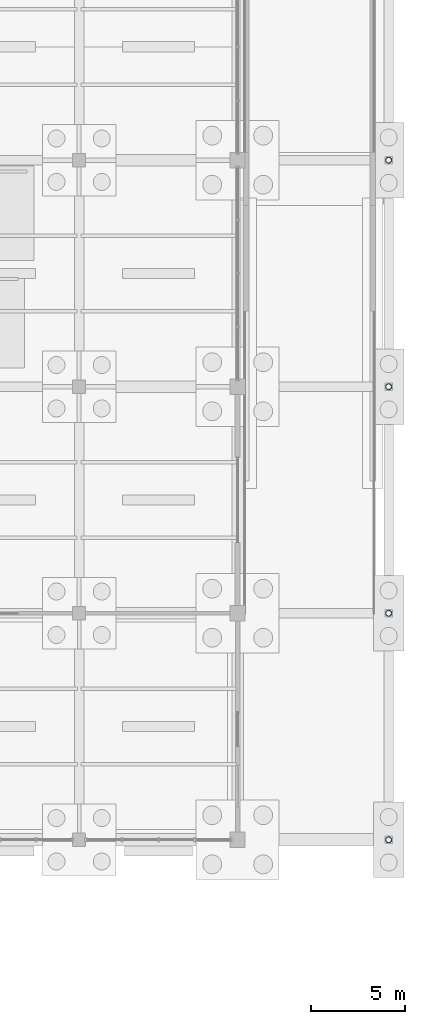
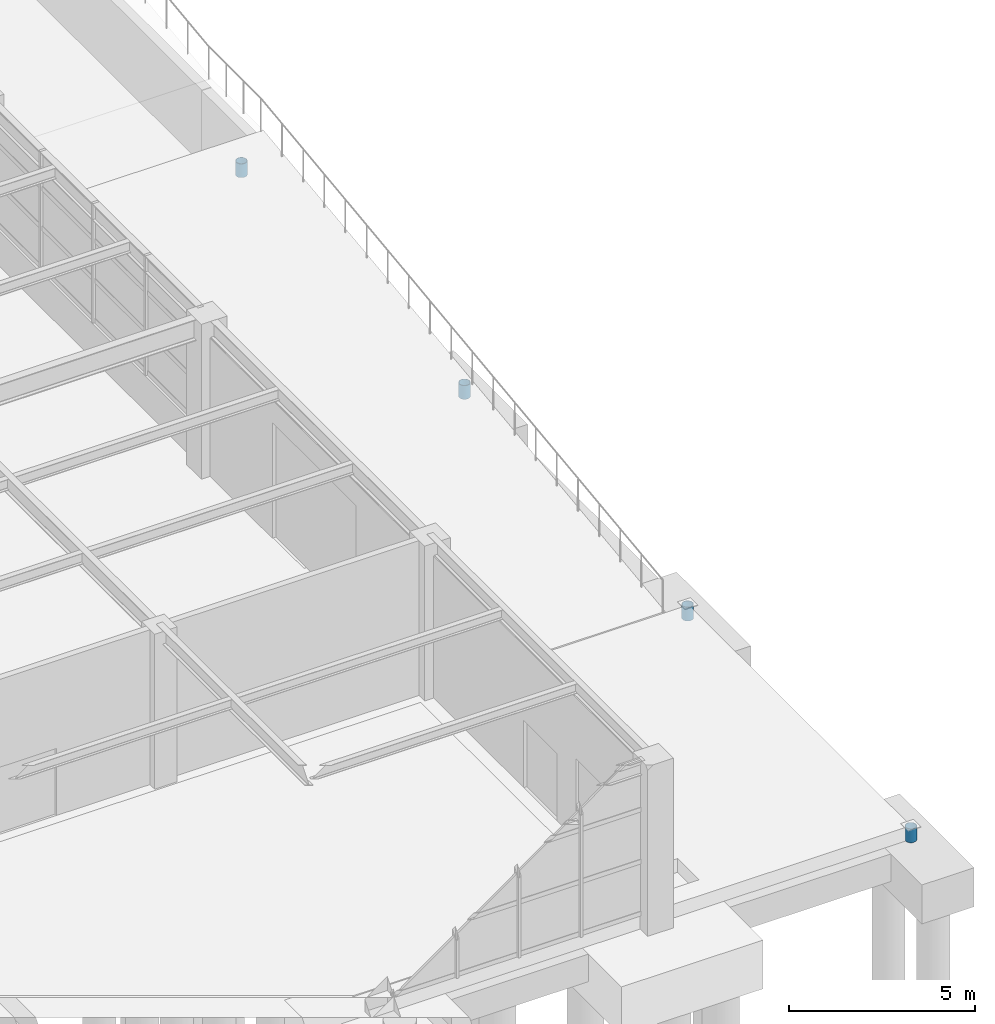
# One storey, part 31 of 129: 4 columns.
"""IFC4 building model written with IfcOpenShell, lengths in metres."""

from ifc_helpers import new_model, si_unit, direction, frame, origin, origin_2d, place, context, subcontext, project, spatial, hollow_circle, extrude, material, material_profile, profile_set, type_object, element, save


model = new_model("IFC4")

# Units and contexts
model_context = context("Model", 3, precision=1e-05, world=origin(), true_north=direction((0.0, 1.0)))
body_context = subcontext(model_context, "Body", "Model", "MODEL_VIEW")
ifc_project = project(units=[si_unit("LENGTHUNIT", "METRE"), si_unit("AREAUNIT", "SQUARE_METRE"), si_unit("VOLUMEUNIT", "CUBIC_METRE"), si_unit("PLANEANGLEUNIT", "RADIAN"), si_unit("MASSUNIT", "GRAM", prefix="KILO")], contexts=[model_context])

# Site, building, storey
site_placement = place(None, origin())
site = spatial("IfcSite", under=ifc_project, at=site_placement, CompositionType="ELEMENT")
building_placement = place(site_placement, origin())
building = spatial("IfcBuilding", under=site, at=building_placement, Name="Sitalva Quay Ferry Terminal", CompositionType="ELEMENT")
storey_placement = place(building_placement, origin())
storey = spatial("IfcBuildingStorey", under=building, at=storey_placement, Name="L01", CompositionType="ELEMENT", Elevation=0.0)

# Columns
ifc_material = material(Name="Structural Steel S355JR", Category="steel")
ifc_material_profile = material_profile(ifc_material, hollow_circle(Radius=0.161865234375, WallThickness=0.012451171875, at=origin_2d()), Name="CHS324x12.5")
ifc_profile_set = profile_set([ifc_material_profile], Name="Structural Steel S355JR")
column_type = type_object("IfcColumnType", Name="Col_CHS324x12", PredefinedType="COLUMN", material=ifc_profile_set)
for number, where, z_axis, x_axis, name in (
    (1, (176.0, 6.0, -0.449951171875), (0.0, 0.0, 1.0), (1.0, 0.0, 0.0), "L01 column 22C"),
    (2, (176.0, 18.0, -0.449951171875), (0.0, 0.0, 1.0), (1.0, 0.0, 0.0), "L01 column 22D"),
    (3, (176.0, 30.0, -0.449951171875), (0.0, 0.0, 1.0), (1.0, 0.0, 0.0), "L01 column 22E"),
    (4, (176.0, 42.0, -0.449951171875), (0.0, 0.0, 1.0), (1.0, 0.0, 0.0), "L01 column 22F"),
):
    element("IfcColumn", number, at=place(storey_placement, frame(where, z_axis=z_axis, x_axis=x_axis)), inside=storey, type_object=column_type, Name=name, PredefinedType="COLUMN", context=body_context, shape_type="SweptSolid", body=[
        extrude(hollow_circle(Radius=0.161865234375, WallThickness=0.012451171875, at=origin_2d()), origin(), (0.0, 0.0, 1.0), 0.449951171875),
    ])

save(model, "model.ifc")
